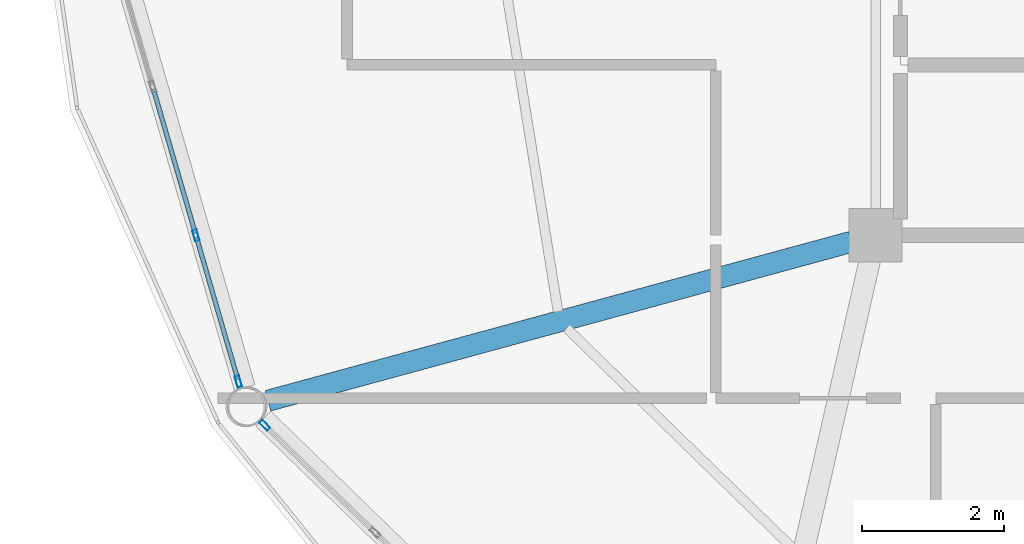
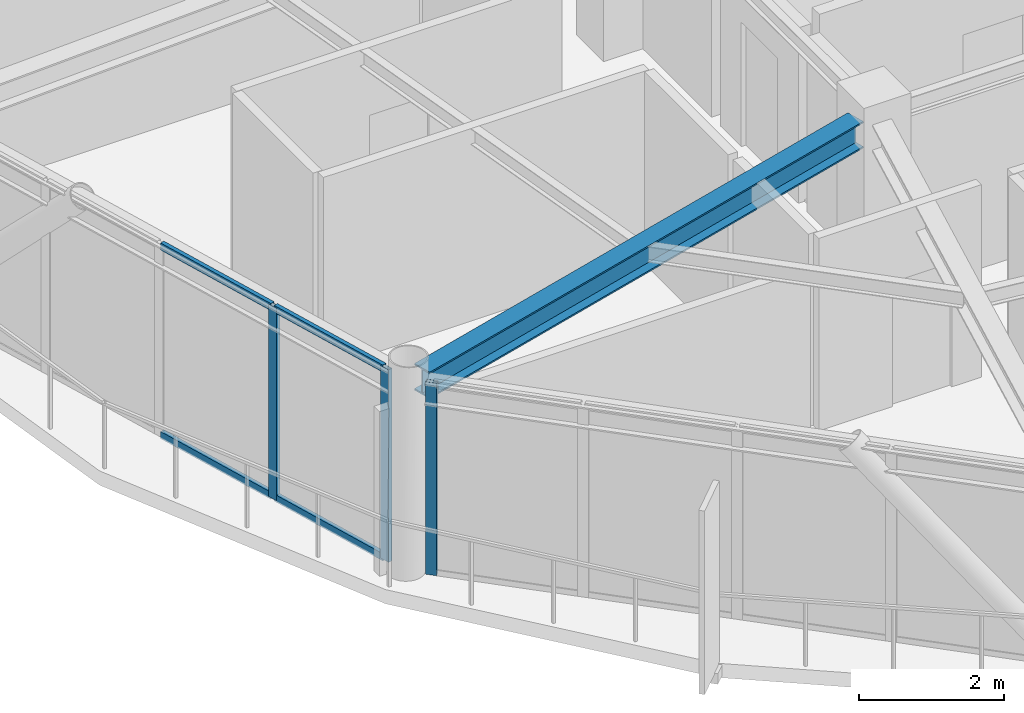
# One storey, part 4 of 28: 7 members, 1 beam, 2 elements without a shape of their own.
"""IFC4 building model written with IfcOpenShell, lengths in metres."""

from ifc_helpers import new_model, si_unit, direction, frame, origin, origin_2d, place, context, subcontext, project, spatial, hollow_rectangle, i_section, extrude, material, layer, layer_set, material_profile, profile_set, type_object, element, aggregate, save


model = new_model("IFC4")

# Units and contexts
model_context = context("Model", 3, precision=1e-05, world=origin(), true_north=direction((0.0, 1.0)))
body_context = subcontext(model_context, "Body", "Model", "MODEL_VIEW")
ifc_project = project(units=[si_unit("LENGTHUNIT", "METRE"), si_unit("AREAUNIT", "SQUARE_METRE"), si_unit("VOLUMEUNIT", "CUBIC_METRE"), si_unit("PLANEANGLEUNIT", "RADIAN"), si_unit("MASSUNIT", "GRAM", prefix="KILO")], contexts=[model_context])

# Site, building, storey
site_placement = place(None, origin())
site = spatial("IfcSite", under=ifc_project, at=site_placement, CompositionType="ELEMENT")
building_placement = place(site_placement, origin())
building = spatial("IfcBuilding", under=site, at=building_placement, Name="Varnakorn Sky Granary", CompositionType="ELEMENT")
storey_placement = place(building_placement, frame((0.0, 0.0, 236.39990234375)))
storey = spatial("IfcBuildingStorey", under=building, at=storey_placement, Name="L60", CompositionType="ELEMENT", Elevation=236.39990234375)

# Beam
ifc_material_1 = material(Name="Steel S355JR", Category="steel")
ifc_material_profile_1 = material_profile(ifc_material_1, i_section(OverallWidth=0.300048828125, OverallDepth=0.449951171875, WebThickness=0.013916015625, FlangeThickness=0.02587890625, at=origin_2d()), Name="HE 450 B")
ifc_profile_set_1 = profile_set([ifc_material_profile_1], Name="Steel S355JR")
beam_type = type_object("IfcBeamType", Name="BM-RAD-Z5", PredefinedType="BEAM", material=ifc_profile_set_1)
beam_placement = place(storey_placement, frame((-2.6923828125, -6.693359375, 3.025146484375), z_axis=(-0.964829256131, -0.262877360214, 0.0), x_axis=(0.262877360214, -0.964829256131, 0.0)))
element("IfcBeam", 1, at=beam_placement, inside=storey, type_object=beam_type, Name="Radial Floor Girder RG08 L60", PredefinedType="BEAM", context=body_context, shape_type="SweptSolid", body=[
    extrude(i_section(OverallWidth=0.300048828125, OverallDepth=0.449951171875, WebThickness=0.013916015625, FlangeThickness=0.02587890625, at=origin_2d()), origin(), (0.0, 0.0, 1.0), 8.52001953125),
])

# Curtain wall, members
ifc_material_2 = material(Name="Anodised Bronze Aluminium Alloy 6063-T6", Category="aluminium")
ifc_layer = layer(ifc_material_2, 0.159912109375, Name="Anodised Bronze Aluminium Alloy 6063-T6")
ifc_layer_set = layer_set([ifc_layer], Name="Anodised Bronze Aluminium Alloy 6063-T6")
curtain_wall_type = type_object("IfcCurtainWallType", Name="CW-OFF-1", PredefinedType="USERDEFINED", material=ifc_layer_set)
curtain_wall_1_placement = place(storey_placement, origin())
curtain_wall_1 = element("IfcCurtainWall", 2, at=curtain_wall_1_placement, inside=storey, type_object=curtain_wall_type, Name="Unitised Curtain Wall CW6 CW-L60-B07", ObjectType="CURTAIN WALL", PredefinedType="USERDEFINED")
ifc_material_profile_2 = material_profile(ifc_material_2, hollow_rectangle(XDim=0.06494140625, YDim=0.159912109375, WallThickness=0.00341796875, at=origin_2d()), Name="ALU MULL 65x160")
ifc_profile_set_2 = profile_set([ifc_material_profile_2], Name="Anodised Bronze Aluminium Alloy 6063-T6")
member_type_1 = type_object("IfcMemberType", Name="CW-OFF-1-MULL", PredefinedType="MULLION", material=ifc_profile_set_2)
member_1_placement = place(storey_placement, frame((-11.329833984375, -8.662353515625, 0.0), z_axis=(0.0, 0.0, 1.0), x_axis=(-0.960250122015, -0.279141009475, 0.0)))
member_1 = element("IfcMember", 3, at=member_1_placement, type_object=member_type_1, Name="CW6 mullion 1", PredefinedType="MULLION", context=body_context, shape_type="SweptSolid", body=[
    extrude(hollow_rectangle(XDim=0.06494140625, YDim=0.159912109375, WallThickness=0.00341796875, at=origin_2d()), origin(), (0.0, 0.0, 1.0), 3.25),
])
member_2_placement = place(storey_placement, frame((-11.928955078125, -6.6015625, 0.0), z_axis=(0.0, 0.0, 1.0), x_axis=(-0.960250122015, -0.279141009475, 0.0)))
member_2 = element("IfcMember", 4, at=member_2_placement, type_object=member_type_1, Name="CW6 mullion 2", PredefinedType="MULLION", context=body_context, shape_type="SweptSolid", body=[
    extrude(hollow_rectangle(XDim=0.06494140625, YDim=0.159912109375, WallThickness=0.00341796875, at=origin_2d()), origin(), (0.0, 0.0, 1.0), 3.25),
])

# Curtain wall, member
curtain_wall_2_placement = place(storey_placement, origin())
curtain_wall_2 = element("IfcCurtainWall", 5, at=curtain_wall_2_placement, inside=storey, type_object=curtain_wall_type, Name="Unitised Curtain Wall CW6 CW-L60-B08", ObjectType="CURTAIN WALL", PredefinedType="USERDEFINED")
member_3_placement = place(storey_placement, frame((-10.959228515625, -9.27880859375, 0.0), z_axis=(0.0, 0.0, 1.0), x_axis=(-0.69691520137, -0.717153541509, 0.0)))
member_3 = element("IfcMember", 6, at=member_3_placement, type_object=member_type_1, Name="CW6 mullion 5", PredefinedType="MULLION", context=body_context, shape_type="SweptSolid", body=[
    extrude(hollow_rectangle(XDim=0.06494140625, YDim=0.159912109375, WallThickness=0.00341796875, at=origin_2d()), origin(), (0.0, 0.0, 1.0), 3.25),
])
aggregate(curtain_wall_2, [member_3])

# Member
ifc_material_profile_3 = material_profile(ifc_material_2, hollow_rectangle(XDim=0.06494140625, YDim=0.1201171875, WallThickness=0.00341796875, at=origin_2d()), Name="ALU TRAN 65x120")
ifc_profile_set_3 = profile_set([ifc_material_profile_3], Name="Anodised Bronze Aluminium Alloy 6063-T6")
member_type_2 = type_object("IfcMemberType", Name="CW-OFF-1-TRAN", PredefinedType="USERDEFINED", material=ifc_profile_set_3)
member_4_placement = place(storey_placement, frame((-11.3388671875, -8.631103515625, 0.03271484375), z_axis=(-0.27921154358, 0.960229615213, 0.0), x_axis=(-0.960229615213, -0.27921154358, 0.0)))
member_4 = element("IfcMember", 7, at=member_4_placement, type_object=member_type_2, Name="CW6 transom 1.1", ObjectType="TRANSOM", PredefinedType="USERDEFINED", context=body_context, shape_type="SweptSolid", body=[
    extrude(hollow_rectangle(XDim=0.06494140625, YDim=0.1201171875, WallThickness=0.00341796875, at=origin_2d()), origin(), (0.0, 0.0, 1.0), 2.0810546875),
])

member_5_placement = place(storey_placement, frame((-11.3388671875, -8.631103515625, 3.217529296875), z_axis=(-0.27921154358, 0.960229615213, 0.0), x_axis=(-0.960229615213, -0.27921154358, 0.0)))
member_5 = element("IfcMember", 8, at=member_5_placement, type_object=member_type_2, Name="CW6 transom 1.2", ObjectType="TRANSOM", PredefinedType="USERDEFINED", context=body_context, shape_type="SweptSolid", body=[
    extrude(hollow_rectangle(XDim=0.06494140625, YDim=0.1201171875, WallThickness=0.00341796875, at=origin_2d()), origin(), (0.0, 0.0, 1.0), 2.0810546875),
])

member_6_placement = place(storey_placement, frame((-11.93798828125, -6.5703125, 0.03271484375), z_axis=(-0.279112634954, 0.960258369924, 0.0), x_axis=(-0.960258369924, -0.279112634954, 0.0)))
member_6 = element("IfcMember", 9, at=member_6_placement, type_object=member_type_2, Name="CW6 transom 2.1", ObjectType="TRANSOM", PredefinedType="USERDEFINED", context=body_context, shape_type="SweptSolid", body=[
    extrude(hollow_rectangle(XDim=0.06494140625, YDim=0.1201171875, WallThickness=0.00341796875, at=origin_2d()), origin(), (0.0, 0.0, 1.0), 2.11328125),
])

member_7_placement = place(storey_placement, frame((-11.93798828125, -6.5703125, 3.217529296875), z_axis=(-0.279112634954, 0.960258369924, 0.0), x_axis=(-0.960258369924, -0.279112634954, 0.0)))
member_7 = element("IfcMember", 10, at=member_7_placement, type_object=member_type_2, Name="CW6 transom 2.2", ObjectType="TRANSOM", PredefinedType="USERDEFINED", context=body_context, shape_type="SweptSolid", body=[
    extrude(hollow_rectangle(XDim=0.06494140625, YDim=0.1201171875, WallThickness=0.00341796875, at=origin_2d()), origin(), (0.0, 0.0, 1.0), 2.11328125),
])

aggregate(curtain_wall_1, [member_1, member_2, member_4, member_5, member_6, member_7])

save(model, "model.ifc")
